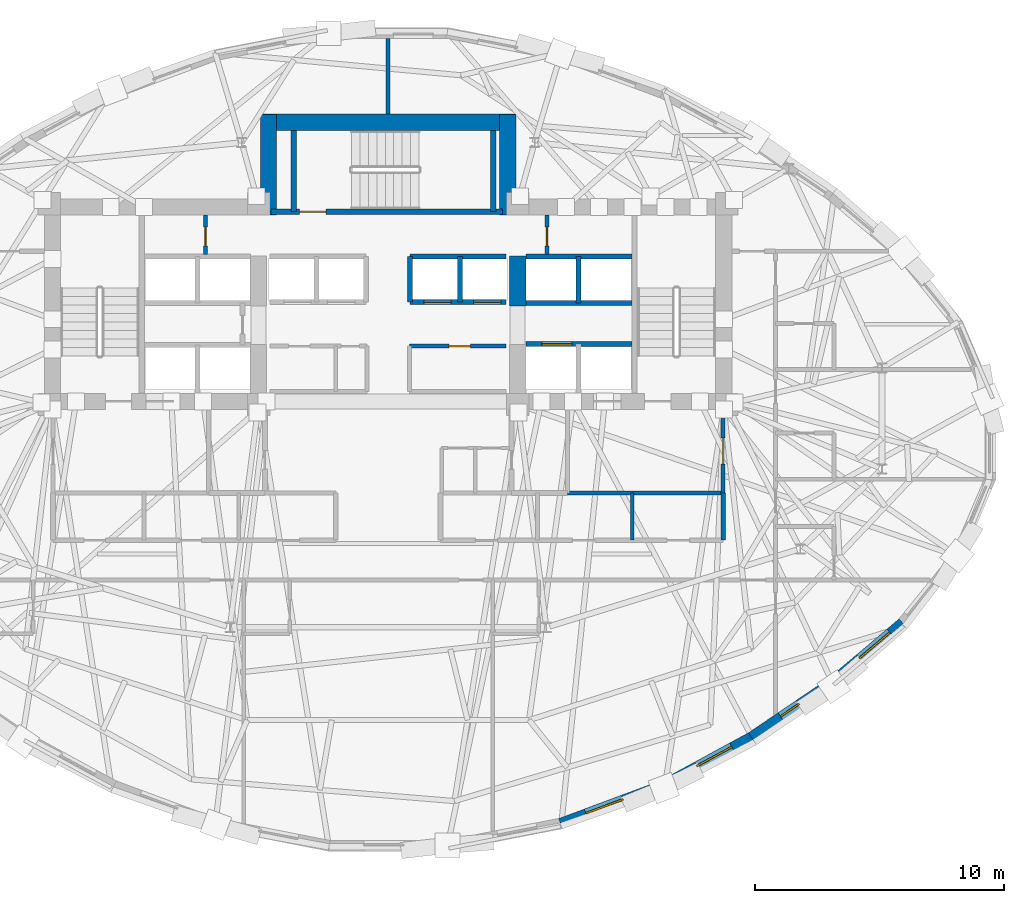
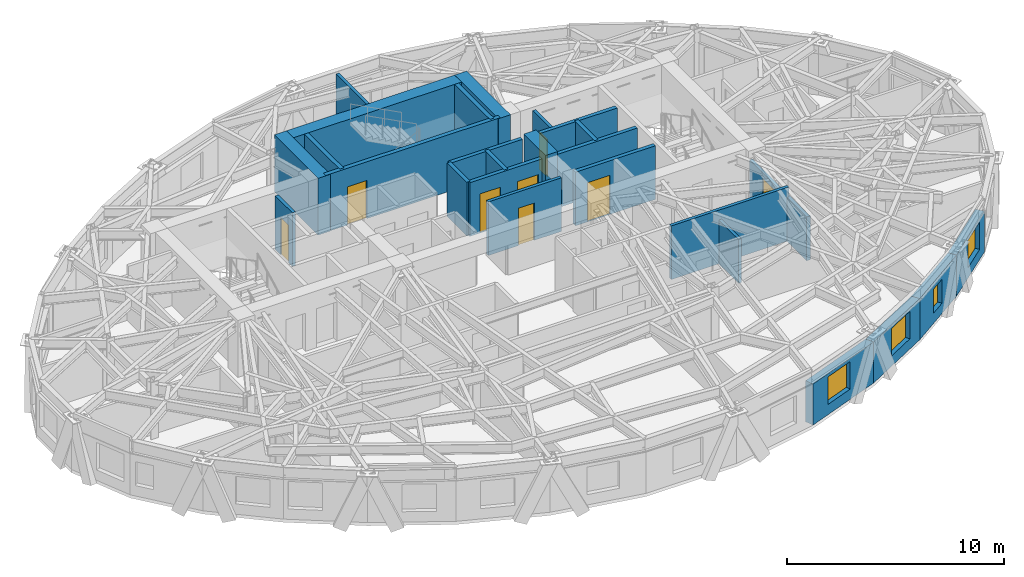
# One storey, part 8 of 14: 27 walls, 8 doors, 4 windows, 12 openings.
"""IFC4 building model written with IfcOpenShell, lengths in metres."""

from ifc_helpers import new_model, si_unit, direction, frame, frame_2d, origin, place, context, subcontext, project, spatial, rectangle, extrude, material, layer, layer_set, type_object, element, fill, save


model = new_model("IFC4")

# Units and contexts
model_context = context("Model", 3, precision=1e-05, world=origin(), true_north=direction((0.0, 1.0)))
body_context = subcontext(model_context, "Body", "Model", "MODEL_VIEW")
ifc_project = project(units=[si_unit("LENGTHUNIT", "METRE"), si_unit("AREAUNIT", "SQUARE_METRE"), si_unit("VOLUMEUNIT", "CUBIC_METRE"), si_unit("PLANEANGLEUNIT", "RADIAN"), si_unit("MASSUNIT", "GRAM", prefix="KILO")], contexts=[model_context])

# Site, building, storey
site_placement = place(None, origin())
site = spatial("IfcSite", under=ifc_project, at=site_placement, CompositionType="ELEMENT")
building_placement = place(site_placement, origin())
building = spatial("IfcBuilding", under=site, at=building_placement, Name="Keldmark Tower", CompositionType="ELEMENT")
storey_placement = place(building_placement, frame((0.0, 0.0, 191.800048828125)))
storey = spatial("IfcBuildingStorey", under=building, at=storey_placement, Name="L53", CompositionType="ELEMENT", Elevation=191.800048828125)

# Walls
ifc_material_1 = material(Name="Heavy Acoustic Plumbing Chase Gypsum Assembly", Category="gypsum")
ifc_layer_1 = layer(ifc_material_1, 0.18994140625)
ifc_layer_set_1 = layer_set([ifc_layer_1], Name="Heavy Acoustic Plumbing Chase Gypsum Assembly")
wall_type_1 = type_object("IfcWallType", Name="Heavy Wet Wall 190 mm", PredefinedType="PLUMBINGWALL", material=ifc_layer_set_1)
wall_1_placement = place(storey_placement, frame((13.449951171875, -4.050048828125, 0.0), z_axis=(0.0, 0.0, 1.0), x_axis=(0.0, 1.0, 0.0)))
element("IfcWall", 1, at=wall_1_placement, inside=storey, type_object=wall_type_1, Name="L53 Heavy Wet Wall 190 mm SPK-E-E", PredefinedType="PLUMBINGWALL", context=body_context, shape_type="SweptSolid", body=[
    extrude(rectangle(XDim=1.900146484375, YDim=0.18994140625, at=frame_2d((0.9501953125, 0.0))), origin(), (0.0, 0.0, 1.0), 2.472900390625),
])
ifc_material_2 = material(Name="Type X Fire-Rated Gypsum Partition Assembly", Category="gypsum")
ifc_layer_2 = layer(ifc_material_2, 0.1650390625)
ifc_layer_set_2 = layer_set([ifc_layer_2], Name="Type X Fire-Rated Gypsum Partition Assembly")
wall_type_2 = type_object("IfcWallType", Name="Rated Partition 165 mm", PredefinedType="PARTITIONING", material=ifc_layer_set_2)
wall_2_placement = place(storey_placement, frame((7.199951171875, -2.14990234375, 0.0), z_axis=(0.0, 0.0, 1.0), x_axis=(1.0, 0.0, 0.0)))
element("IfcWall", 2, at=wall_2_placement, inside=storey, type_object=wall_type_2, Name="L53 Rated Partition 165 mm FSAE-E-S", PredefinedType="PARTITIONING", context=body_context, shape_type="SweptSolid", body=[
    extrude(rectangle(XDim=6.25, YDim=0.1650390625, at=frame_2d((3.125, 0.0))), origin(), (0.0, 0.0, 1.0), 3.02001953125),
])

# Wall, opening, door
wall_3_placement = place(storey_placement, frame((13.449951171875, -2.14990234375, 0.0), z_axis=(0.0, 0.0, 1.0), x_axis=(0.0, 1.0, 0.0)))
wall_3 = element("IfcWall", 3, at=wall_3_placement, inside=storey, type_object=wall_type_2, Name="L53 Rated Partition 165 mm FSAE-E-E", PredefinedType="PARTITIONING", context=body_context, shape_type="SweptSolid", body=[
    extrude(rectangle(XDim=3.39990234375, YDim=0.1650390625, at=frame_2d((1.699951171875, 0.0))), origin(), (0.0, 0.0, 1.0), 2.472900390625),
])
opening_1_placement = place(wall_3_placement, frame((1.14990234375, 0.0, 0.0)))
opening_1 = element("IfcOpeningElement", 4, at=opening_1_placement, cuts=wall_3, Name="Opening D-FL105", PredefinedType="OPENING", context=body_context, shape_type="SweptSolid", body=[
    extrude(rectangle(XDim=1.050048828125, YDim=2.14990234375, at=frame_2d((0.52490234375, 1.074951171875))), frame((0.0, 0.092529296875, 0.0), z_axis=(0.0, -1.0, 0.0), x_axis=(1.0, 0.0, 0.0)), (0.0, 0.0, 1.0), 0.18505859375),
])
ifc_material_3 = material(Name="Fire-Rated Mineral-Core Door and Vision Lite", Category="metal")
door_type_1 = type_object("IfcDoorType", Name="Fire Lobby Door 1050x2150", OperationType="NOTDEFINED", PredefinedType="DOOR", material=ifc_material_3)
door_1_placement = place(opening_1_placement, origin())
door_1 = element("IfcDoor", 5, at=door_1_placement, inside=storey, type_object=door_type_1, Name="L53 Fire Lobby Door 1050x2150 D-FSAEE-OUT-L53", OperationType="SINGLE_SWING_LEFT", OverallHeight=2.14990234375, OverallWidth=1.050048828125, PredefinedType="DOOR", context=body_context, shape_type="SweptSolid", body=[
    extrude(rectangle(XDim=1.050048828125, YDim=2.14990234375, at=frame_2d((0.52490234375, 1.074951171875))), frame((0.0, 0.02490234375, 0.0), z_axis=(0.0, -1.0, 0.0), x_axis=(1.0, 0.0, 0.0)), (0.0, 0.0, 1.0), 0.050048828125),
])
fill(opening_1, door_1)

wall_4_placement = place(storey_placement, frame((0.85009765625, 3.739990234375, 0.0), z_axis=(0.0, 0.0, 1.0), x_axis=(1.0, 0.0, 0.0)))
wall_4 = element("IfcWall", 6, at=wall_4_placement, inside=storey, type_object=wall_type_2, Name="L53 Rated Partition 165 mm REC-LE-N", PredefinedType="PARTITIONING", context=body_context, shape_type="SweptSolid", body=[
    extrude(rectangle(XDim=3.889892578125, YDim=0.1650390625, at=frame_2d((1.94482421875, 0.0))), origin(), (0.0, 0.0, 1.0), 3.02001953125),
])
opening_2_placement = place(wall_4_placement, frame((1.60009765625, 0.0, 0.0)))
opening_2 = element("IfcOpeningElement", 7, at=opening_2_placement, cuts=wall_4, Name="Opening D-SV085", PredefinedType="OPENING", context=body_context, shape_type="SweptSolid", body=[
    extrude(rectangle(XDim=0.85009765625, YDim=2.10009765625, at=frame_2d((0.425048828125, 1.050048828125))), frame((0.0, 0.092529296875, 0.0), z_axis=(0.0, -1.0, 0.0), x_axis=(1.0, 0.0, 0.0)), (0.0, 0.0, 1.0), 0.18505859375),
])
ifc_material_4 = material(Name="Painted Hollow Metal Door Assembly", Category="metal")
door_type_2 = type_object("IfcDoorType", Name="Service Door 850x2100", OperationType="NOTDEFINED", PredefinedType="DOOR", material=ifc_material_4)
door_2_placement = place(opening_2_placement, origin())
door_2 = element("IfcDoor", 8, at=door_2_placement, inside=storey, type_object=door_type_2, Name="L53 Service Door 850x2100 D-RECLE1-L53", OperationType="SINGLE_SWING_LEFT", OverallHeight=2.10009765625, OverallWidth=0.85009765625, PredefinedType="DOOR", context=body_context, shape_type="SweptSolid", body=[
    extrude(rectangle(XDim=0.85009765625, YDim=2.10009765625, at=frame_2d((0.425048828125, 1.050048828125))), frame((0.0, 0.02490234375, 0.0), z_axis=(0.0, -1.0, 0.0), x_axis=(1.0, 0.0, 0.0)), (0.0, 0.0, 1.0), 0.050048828125),
])
fill(opening_2, door_2)

wall_5_placement = place(storey_placement, frame((-7.330078125, 7.419921875, 0.0), z_axis=(0.0, 0.0, 1.0), x_axis=(0.0, 1.0, 0.0)))
wall_5 = element("IfcWall", 9, at=wall_5_placement, inside=storey, type_object=wall_type_2, Name="L53 Rated Partition 165 mm CS-NW-E", PredefinedType="PARTITIONING", context=body_context, shape_type="SweptSolid", body=[
    extrude(rectangle(XDim=1.580078125, YDim=0.1650390625, at=frame_2d((0.7900390625, 0.0))), origin(), (0.0, 0.0, 1.0), 3.02001953125),
])
opening_3_placement = place(wall_5_placement, frame((0.35009765625, 0.0, 0.0)))
opening_3 = element("IfcOpeningElement", 10, at=opening_3_placement, cuts=wall_5, Name="Opening D-RS075", PredefinedType="OPENING", context=body_context, shape_type="SweptSolid", body=[
    extrude(rectangle(XDim=0.75, YDim=2.10009765625, at=frame_2d((0.375, 1.050048828125))), frame((0.0, 0.092529296875, 0.0), z_axis=(0.0, -1.0, 0.0), x_axis=(1.0, 0.0, 0.0)), (0.0, 0.0, 1.0), 0.18505859375),
])
ifc_material_5 = material(Name="Galvanized Fire-Rated Access Leaf", Category="metal")
door_type_3 = type_object("IfcDoorType", Name="Riser Access Door 750x2100", OperationType="NOTDEFINED", PredefinedType="DOOR", material=ifc_material_5)
door_3_placement = place(opening_3_placement, origin())
door_3 = element("IfcDoor", 11, at=door_3_placement, inside=storey, type_object=door_type_3, Name="L53 Riser Access Door 750x2100 D-CSNW1-L53", OperationType="SINGLE_SWING_RIGHT", OverallHeight=2.10009765625, OverallWidth=0.75, PredefinedType="DOOR", context=body_context, shape_type="SweptSolid", body=[
    extrude(rectangle(XDim=0.75, YDim=2.10009765625, at=frame_2d((0.375, 1.050048828125))), frame((0.0, 0.02490234375, 0.0), z_axis=(0.0, -1.0, 0.0), x_axis=(1.0, 0.0, 0.0)), (0.0, 0.0, 1.0), 0.050048828125),
])
fill(opening_3, door_3)

wall_6_placement = place(storey_placement, frame((6.3798828125, 7.419921875, 0.0), z_axis=(0.0, 0.0, 1.0), x_axis=(0.0, 1.0, 0.0)))
wall_6 = element("IfcWall", 12, at=wall_6_placement, inside=storey, type_object=wall_type_2, Name="L53 Rated Partition 165 mm CS-NE-W", PredefinedType="PARTITIONING", context=body_context, shape_type="SweptSolid", body=[
    extrude(rectangle(XDim=1.580078125, YDim=0.1650390625, at=frame_2d((0.7900390625, 0.0))), origin(), (0.0, 0.0, 1.0), 3.02001953125),
])
opening_4_placement = place(wall_6_placement, frame((0.35009765625, 0.0, 0.0)))
opening_4 = element("IfcOpeningElement", 13, at=opening_4_placement, cuts=wall_6, Name="Opening D-RS075", PredefinedType="OPENING", context=body_context, shape_type="SweptSolid", body=[
    extrude(rectangle(XDim=0.75, YDim=2.10009765625, at=frame_2d((0.375, 1.050048828125))), frame((0.0, 0.092529296875, 0.0), z_axis=(0.0, -1.0, 0.0), x_axis=(1.0, 0.0, 0.0)), (0.0, 0.0, 1.0), 0.18505859375),
])
door_4_placement = place(opening_4_placement, origin())
door_4 = element("IfcDoor", 14, at=door_4_placement, inside=storey, type_object=door_type_3, Name="L53 Riser Access Door 750x2100 D-CSNE1-L53", OperationType="SINGLE_SWING_LEFT", OverallHeight=2.10009765625, OverallWidth=0.75, PredefinedType="DOOR", context=body_context, shape_type="SweptSolid", body=[
    extrude(rectangle(XDim=0.75, YDim=2.10009765625, at=frame_2d((0.375, 1.050048828125))), frame((0.0, 0.02490234375, 0.0), z_axis=(0.0, -1.0, 0.0), x_axis=(1.0, 0.0, 0.0)), (0.0, 0.0, 1.0), 0.050048828125),
])
fill(opening_4, door_4)

# Wall
wall_7_placement = place(storey_placement, frame((0.0, 13.050048828125, 0.0), z_axis=(0.0, 0.0, 1.0), x_axis=(0.0, 1.0, 0.0)))
element("IfcWall", 15, at=wall_7_placement, inside=storey, type_object=wall_type_2, Name="L53 Rated Partition 165 mm HN-DIV", PredefinedType="PARTITIONING", context=body_context, shape_type="SweptSolid", body=[
    extrude(rectangle(XDim=3.03955078125, YDim=0.1650390625, at=frame_2d((1.519775390625, 0.0))), origin(), (0.0, 0.0, 1.0), 3.02001953125),
])

# Wall, opening, door
ifc_material_6 = material(Name="Fire-Resistant Type X Gypsum Shaftliner Coreboard", Category="gypsum")
ifc_layer_3 = layer(ifc_material_6, 0.199951171875)
ifc_layer_set_3 = layer_set([ifc_layer_3], Name="Fire-Resistant Type X Gypsum Shaftliner Coreboard")
wall_type_3 = type_object("IfcWallType", Name="Shaft Wall 200 mm", PredefinedType="SOLIDWALL", material=ifc_layer_set_3)
wall_8_placement = place(storey_placement, frame((5.52490234375, 3.820068359375, 0.0), z_axis=(0.0, 0.0, 1.0), x_axis=(1.0, 0.0, 0.0)))
wall_8 = element("IfcWall", 16, at=wall_8_placement, inside=storey, type_object=wall_type_3, Name="L53 Shaft Wall 200 mm HW-E-S", PredefinedType="SOLIDWALL", context=body_context, shape_type="SweptSolid", body=[
    extrude(rectangle(XDim=4.255126953125, YDim=0.199951171875, at=frame_2d((2.12744140625, 0.0))), origin(), (0.0, 0.0, 1.0), 3.02001953125),
])
opening_5_placement = place(wall_8_placement, frame((0.64990234375, 0.0, 0.0)))
opening_5 = element("IfcOpeningElement", 17, at=opening_5_placement, cuts=wall_8, Name="Opening LD-120", PredefinedType="OPENING", context=body_context, shape_type="SweptSolid", body=[
    extrude(rectangle(XDim=1.199951171875, YDim=2.199951171875, at=frame_2d((0.60009765625, 1.10009765625))), frame((0.0, 0.10986328125, 0.0), z_axis=(0.0, -1.0, 0.0), x_axis=(1.0, 0.0, 0.0)), (0.0, 0.0, 1.0), 0.219970703125),
])
ifc_material_7 = material(Name="Heavy-Duty Brushed Metal Hoistway Sliding Leaf", Category="metal")
door_type_4 = type_object("IfcDoorType", Name="Service Lift Sliding Door 1200x2200", OperationType="SLIDING_TO_RIGHT", PredefinedType="DOOR", material=ifc_material_7)
door_5_placement = place(opening_5_placement, origin())
door_5 = element("IfcDoor", 18, at=door_5_placement, inside=storey, type_object=door_type_4, Name="L53 Service Lift Sliding Door 1200x2200 LD-EL-SV1-L53", OperationType="SLIDING_TO_RIGHT", OverallHeight=2.199951171875, OverallWidth=1.199951171875, PredefinedType="DOOR", context=body_context, shape_type="SweptSolid", body=[
    extrude(rectangle(XDim=1.199951171875, YDim=2.199951171875, at=frame_2d((0.60009765625, 1.10009765625))), frame((0.0, 0.02490234375, 0.0), z_axis=(0.0, -1.0, 0.0), x_axis=(1.0, 0.0, 0.0)), (0.0, 0.0, 1.0), 0.050048828125),
])
fill(opening_5, door_5)

# Walls
for number, where, z_axis, x_axis, name in (
    (19, (5.52490234375, 5.469970703125, 0.0), (0.0, 0.0, 1.0), (1.0, 0.0, 0.0), "L53 Shaft Wall 200 mm HW-E-N"),
    (20, (5.52490234375, 7.330078125, 0.0), (0.0, 0.0, 1.0), (1.0, 0.0, 0.0), "L53 Shaft Wall 200 mm HW-E-TOP"),
):
    element("IfcWall", number, at=place(storey_placement, frame(where, z_axis=z_axis, x_axis=x_axis)), inside=storey, type_object=wall_type_3, Name=name, PredefinedType="SOLIDWALL", context=body_context, shape_type="SweptSolid", body=[
        extrude(rectangle(XDim=4.255126953125, YDim=0.199951171875, at=frame_2d((2.12744140625, 0.0))), origin(), (0.0, 0.0, 1.0), 3.02001953125),
    ])
wall_9_placement = place(storey_placement, frame((7.64990234375, 5.469970703125, 0.0), z_axis=(0.0, 0.0, 1.0), x_axis=(0.0, 1.0, 0.0)))
element("IfcWall", 21, at=wall_9_placement, inside=storey, type_object=wall_type_3, Name="L53 Shaft Wall 200 mm HW-E-NM", PredefinedType="SOLIDWALL", context=body_context, shape_type="SweptSolid", body=[
    extrude(rectangle(XDim=1.860107421875, YDim=0.199951171875, at=frame_2d((0.93017578125, 0.0))), origin(), (0.0, 0.0, 1.0), 3.02001953125),
])

# Wall, openings, doors
wall_10_placement = place(storey_placement, frame((0.8798828125, 5.52001953125, 0.0), z_axis=(0.0, 0.0, 1.0), x_axis=(1.0, 0.0, 0.0)))
wall_10 = element("IfcWall", 22, at=wall_10_placement, inside=storey, type_object=wall_type_3, Name="L53 Shaft Wall 200 mm MID-S-E", PredefinedType="SOLIDWALL", context=body_context, shape_type="SweptSolid", body=[
    extrude(rectangle(XDim=3.860107421875, YDim=0.199951171875, at=frame_2d((1.93017578125, 0.0))), origin(), (0.0, 0.0, 1.0), 3.02001953125),
])
opening_6_placement = place(wall_10_placement, frame((0.550048828125, 0.0, 0.0)))
opening_6 = element("IfcOpeningElement", 23, at=opening_6_placement, cuts=wall_10, Name="Opening LD-110", PredefinedType="OPENING", context=body_context, shape_type="SweptSolid", body=[
    extrude(rectangle(XDim=1.10009765625, YDim=2.199951171875, at=frame_2d((0.550048828125, 1.10009765625))), frame((0.0, 0.10986328125, 0.0), z_axis=(0.0, -1.0, 0.0), x_axis=(1.0, 0.0, 0.0)), (0.0, 0.0, 1.0), 0.219970703125),
])
opening_7_placement = place(wall_10_placement, frame((2.550048828125, 0.0, 0.0)))
opening_7 = element("IfcOpeningElement", 24, at=opening_7_placement, cuts=wall_10, Name="Opening LD-110", PredefinedType="OPENING", context=body_context, shape_type="SweptSolid", body=[
    extrude(rectangle(XDim=1.10009765625, YDim=2.199951171875, at=frame_2d((0.550048828125, 1.10009765625))), frame((0.0, 0.10986328125, 0.0), z_axis=(0.0, -1.0, 0.0), x_axis=(1.0, 0.0, 0.0)), (0.0, 0.0, 1.0), 0.219970703125),
])
ifc_material_8 = material(Name="Brushed Bronze Hoistway Sliding Leaf", Category="metal")
door_type_5 = type_object("IfcDoorType", Name="Lift Landing Sliding Door 1100x2200", OperationType="SLIDING_TO_LEFT", PredefinedType="DOOR", material=ifc_material_8)
door_6_placement = place(opening_6_placement, origin())
door_6 = element("IfcDoor", 25, at=door_6_placement, inside=storey, type_object=door_type_5, Name="L53 Lift Landing Sliding Door 1100x2200 LD-EL-M3-L53", OperationType="SLIDING_TO_LEFT", OverallHeight=2.199951171875, OverallWidth=1.10009765625, PredefinedType="DOOR", context=body_context, shape_type="SweptSolid", body=[
    extrude(rectangle(XDim=1.10009765625, YDim=2.199951171875, at=frame_2d((0.550048828125, 1.10009765625))), frame((0.0, 0.02490234375, 0.0), z_axis=(0.0, -1.0, 0.0), x_axis=(1.0, 0.0, 0.0)), (0.0, 0.0, 1.0), 0.050048828125),
])
fill(opening_6, door_6)
door_7_placement = place(opening_7_placement, origin())
door_7 = element("IfcDoor", 26, at=door_7_placement, inside=storey, type_object=door_type_5, Name="L53 Lift Landing Sliding Door 1100x2200 LD-EL-M4-L53", OperationType="SLIDING_TO_LEFT", OverallHeight=2.199951171875, OverallWidth=1.10009765625, PredefinedType="DOOR", context=body_context, shape_type="SweptSolid", body=[
    extrude(rectangle(XDim=1.10009765625, YDim=2.199951171875, at=frame_2d((0.550048828125, 1.10009765625))), frame((0.0, 0.02490234375, 0.0), z_axis=(0.0, -1.0, 0.0), x_axis=(1.0, 0.0, 0.0)), (0.0, 0.0, 1.0), 0.050048828125),
])
fill(opening_7, door_7)

# Walls
wall_11_placement = place(storey_placement, frame((0.8798828125, 7.330078125, 0.0), z_axis=(0.0, 0.0, 1.0), x_axis=(1.0, 0.0, 0.0)))
element("IfcWall", 27, at=wall_11_placement, inside=storey, type_object=wall_type_3, Name="L53 Shaft Wall 200 mm MID-N-E", PredefinedType="SOLIDWALL", context=body_context, shape_type="SweptSolid", body=[
    extrude(rectangle(XDim=3.860107421875, YDim=0.199951171875, at=frame_2d((1.93017578125, 0.0))), origin(), (0.0, 0.0, 1.0), 3.02001953125),
])
for number, where, z_axis, x_axis, name in (
    (28, (2.8798828125, 5.52001953125, 0.0), (0.0, 0.0, 1.0), (0.0, 1.0, 0.0), "L53 Shaft Wall 200 mm MID-M-E"),
    (29, (0.8798828125, 5.52001953125, 0.0), (0.0, 0.0, 1.0), (0.0, 1.0, 0.0), "L53 Shaft Wall 200 mm MID-C-E"),
):
    element("IfcWall", number, at=place(storey_placement, frame(where, z_axis=z_axis, x_axis=x_axis)), inside=storey, type_object=wall_type_3, Name=name, PredefinedType="SOLIDWALL", context=body_context, shape_type="SweptSolid", body=[
        extrude(rectangle(XDim=1.81005859375, YDim=0.199951171875, at=frame_2d((0.905029296875, 0.0))), origin(), (0.0, 0.0, 1.0), 3.02001953125),
    ])

# Wall, opening, door
ifc_material_9 = material(Name="Concrete C50/60", Category="concrete")
ifc_layer_4 = layer(ifc_material_9, 0.219970703125)
ifc_layer_set_4 = layer_set([ifc_layer_4], Name="Concrete C50/60")
wall_type_4 = type_object("IfcWallType", Name="Stair Core Shear Wall 220 mm", PredefinedType="SHEAR", material=ifc_layer_set_4)
wall_12_placement = place(storey_placement, frame((-4.699951171875, 9.139892578125, 0.0), z_axis=(0.0, 0.0, 1.0), x_axis=(1.0, 0.0, 0.0)))
wall_12 = element("IfcWall", 30, at=wall_12_placement, inside=storey, type_object=wall_type_4, Name="L53 Central Stair Core South Shear Wall", PredefinedType="SHEAR", context=body_context, shape_type="SweptSolid", body=[
    extrude(rectangle(XDim=9.300048828125, YDim=0.219970703125, at=frame_2d((4.64990234375, 0.0))), origin(), (0.0, 0.0, 1.0), 3.199951171875),
])
opening_8_placement = place(wall_12_placement, frame((1.14990234375, 0.0, 0.0)))
opening_8 = element("IfcOpeningElement", 31, at=opening_8_placement, cuts=wall_12, Name="Opening D-ST105", PredefinedType="OPENING", context=body_context, shape_type="SweptSolid", body=[
    extrude(rectangle(XDim=1.050048828125, YDim=2.14990234375, at=frame_2d((0.52490234375, 1.074951171875))), frame((0.0, 0.119873046875, 0.0), z_axis=(0.0, -1.0, 0.0), x_axis=(1.0, 0.0, 0.0)), (0.0, 0.0, 1.0), 0.239990234375),
])
ifc_material_10 = material(Name="Hollow Metal Fire-Rated Door Assembly", Category="metal")
door_type_6 = type_object("IfcDoorType", Name="Stair Fire Door 1050x2150", OperationType="NOTDEFINED", PredefinedType="DOOR", material=ifc_material_10)
door_8_placement = place(opening_8_placement, origin())
door_8 = element("IfcDoor", 32, at=door_8_placement, inside=storey, type_object=door_type_6, Name="L53 Stair Fire Door 1050x2150 D-ST3-L53", OperationType="SINGLE_SWING_RIGHT", OverallHeight=2.14990234375, OverallWidth=1.050048828125, PredefinedType="DOOR", context=body_context, shape_type="SweptSolid", body=[
    extrude(rectangle(XDim=1.050048828125, YDim=2.14990234375, at=frame_2d((0.52490234375, 1.074951171875))), frame((0.0, 0.02490234375, 0.0), z_axis=(0.0, -1.0, 0.0), x_axis=(1.0, 0.0, 0.0)), (0.0, 0.0, 1.0), 0.050048828125),
])
fill(opening_8, door_8)

# Walls
for number, where, z_axis, x_axis, name in (
    (33, (-3.784912109375, 9.139892578125, 0.0), (0.0, 0.0, 1.0), (0.0, 1.0, 0.0), "L53 Central Stair Core West Shear Wall"),
    (34, (4.215087890625, 9.139892578125, 0.0), (0.0, 0.0, 1.0), (0.0, 1.0, 0.0), "L53 Central Stair Core East Shear Wall"),
):
    element("IfcWall", number, at=place(storey_placement, frame(where, z_axis=z_axis, x_axis=x_axis)), inside=storey, type_object=wall_type_4, Name=name, PredefinedType="SHEAR", context=body_context, shape_type="SweptSolid", body=[
        extrude(rectangle(XDim=3.260009765625, YDim=0.219970703125, at=frame_2d((1.6298828125, 0.0))), origin(), (0.0, 0.0, 1.0), 3.199951171875),
    ])

# Wall, opening, window
ifc_material_11 = material(Name="Ironspot Manganese Brick and Kasota Buff Limestone Spandrel Assembly", Category="masonry")
ifc_layer_5 = layer(ifc_material_11, 0.43994140625)
ifc_layer_set_5 = layer_set([ifc_layer_5], Name="Ironspot Manganese Brick and Kasota Buff Limestone Spandrel Assembly")
wall_type_5 = type_object("IfcWallType", Name="Tower Brick Pier and Spandrel Wall 440 mm", PredefinedType="STANDARD", material=ifc_layer_set_5)
wall_13_placement = place(storey_placement, frame((11.04248046875, -13.897216796875, 0.0), z_axis=(0.0, 0.0, 1.0), x_axis=(-0.937088879832, -0.349090863953, 0.0)))
wall_13 = element("IfcWall", 35, at=wall_13_placement, inside=storey, type_object=wall_type_5, Name="L53 Exterior Brick and Spandrel Wall 26", PredefinedType="STANDARD", context=body_context, shape_type="SweptSolid", body=[
    extrude(rectangle(XDim=4.398193359375, YDim=0.43994140625, at=frame_2d((2.19921875, 0.0))), origin(), (0.0, 0.0, 1.0), 2.31494140625),
])
opening_9_placement = place(wall_13_placement, frame((1.69921875, 0.0, 0.580078125)))
opening_9 = element("IfcOpeningElement", 36, at=opening_9_placement, cuts=wall_13, Name="Opening W-04", PredefinedType="OPENING", context=body_context, shape_type="SweptSolid", body=[
    extrude(rectangle(XDim=1.60009765625, YDim=1.550048828125, at=frame_2d((0.800048828125, 0.77490234375))), frame((0.0, 0.22998046875, 0.0), z_axis=(0.0, -1.0, 0.0), x_axis=(1.0, 0.0, 0.0)), (0.0, 0.0, 1.0), 0.4599609375),
])
ifc_material_12 = material(Name="Thermally Broken Anodized Aluminum and Triple Low-E Argon Glazing", Category="aluminium")
window_type_1 = type_object("IfcWindowType", Name="Hotel Deep-Set Operable Window 1600x1550", PartitioningType="DOUBLE_PANEL_HORIZONTAL", PredefinedType="WINDOW", material=ifc_material_12)
window_1_placement = place(opening_9_placement, origin())
window_1 = element("IfcWindow", 37, at=window_1_placement, inside=storey, type_object=window_type_1, Name="L53 Deep-Set Window 26", OverallHeight=1.550048828125, OverallWidth=1.60009765625, PartitioningType="SINGLE_PANEL", PredefinedType="WINDOW", context=body_context, shape_type="SweptSolid", body=[
    extrude(rectangle(XDim=1.60009765625, YDim=1.550048828125, at=frame_2d((0.800048828125, 0.77490234375))), frame((0.0, -0.010009765625, 0.0), z_axis=(0.0, -1.0, 0.0), x_axis=(1.0, 0.0, 0.0)), (0.0, 0.0, 1.0), 0.06005859375),
])
fill(opening_9, window_1)

wall_14_placement = place(storey_placement, frame((14.601806640625, -11.955810546875, 0.0), z_axis=(0.0, 0.0, 1.0), x_axis=(-0.878158075839, -0.478370561217, 0.0)))
wall_14 = element("IfcWall", 38, at=wall_14_placement, inside=storey, type_object=wall_type_5, Name="L53 Exterior Brick and Spandrel Wall 27", PredefinedType="STANDARD", context=body_context, shape_type="SweptSolid", body=[
    extrude(rectangle(XDim=4.08544921875, YDim=0.43994140625, at=frame_2d((2.042724609375, 0.0))), origin(), (0.0, 0.0, 1.0), 2.31494140625),
])
opening_10_placement = place(wall_14_placement, frame((0.89501953125, 0.0, 0.580078125)))
opening_10 = element("IfcOpeningElement", 39, at=opening_10_placement, cuts=wall_14, Name="Opening W-04", PredefinedType="OPENING", context=body_context, shape_type="SweptSolid", body=[
    extrude(rectangle(XDim=1.60009765625, YDim=1.550048828125, at=frame_2d((0.800048828125, 0.77490234375))), frame((0.0, 0.22998046875, 0.0), z_axis=(0.0, -1.0, 0.0), x_axis=(1.0, 0.0, 0.0)), (0.0, 0.0, 1.0), 0.4599609375),
])
window_2_placement = place(opening_10_placement, origin())
window_2 = element("IfcWindow", 40, at=window_2_placement, inside=storey, type_object=window_type_1, Name="L53 Deep-Set Window 27", OverallHeight=1.550048828125, OverallWidth=1.60009765625, PartitioningType="SINGLE_PANEL", PredefinedType="WINDOW", context=body_context, shape_type="SweptSolid", body=[
    extrude(rectangle(XDim=1.60009765625, YDim=1.550048828125, at=frame_2d((0.800048828125, 0.77490234375))), frame((0.0, -0.010009765625, 0.0), z_axis=(0.0, -1.0, 0.0), x_axis=(1.0, 0.0, 0.0)), (0.0, 0.0, 1.0), 0.06005859375),
])
fill(opening_10, window_2)

wall_15_placement = place(storey_placement, frame((17.796875, -9.788330078125, 0.0), z_axis=(0.0, 0.0, 1.0), x_axis=(-0.827690675663, -0.561184591218, 0.0)))
wall_15 = element("IfcWall", 41, at=wall_15_placement, inside=storey, type_object=wall_type_5, Name="L53 Exterior Brick and Spandrel Wall 28", PredefinedType="STANDARD", context=body_context, shape_type="SweptSolid", body=[
    extrude(rectangle(XDim=3.88232421875, YDim=0.43994140625, at=frame_2d((1.941162109375, 0.0))), origin(), (0.0, 0.0, 1.0), 2.31494140625),
])
opening_11_placement = place(wall_15_placement, frame((1.541015625, 0.0, 0.580078125)))
opening_11 = element("IfcOpeningElement", 42, at=opening_11_placement, cuts=wall_15, Name="Opening W-09", PredefinedType="OPENING", context=body_context, shape_type="SweptSolid", body=[
    extrude(rectangle(XDim=0.89990234375, YDim=1.35009765625, at=frame_2d((0.449951171875, 0.675048828125))), frame((0.0, 0.22998046875, 0.0), z_axis=(0.0, -1.0, 0.0), x_axis=(1.0, 0.0, 0.0)), (0.0, 0.0, 1.0), 0.4599609375),
])
ifc_material_13 = material(Name="Thermally Broken Anodized Aluminum and Triple Low-E Argon Glazing", Category="aluminium")
window_type_2 = type_object("IfcWindowType", Name="Corner Pier Deep-Set Window 900x1350", PartitioningType="SINGLE_PANEL", PredefinedType="WINDOW", material=ifc_material_13)
window_3_placement = place(opening_11_placement, origin())
window_3 = element("IfcWindow", 43, at=window_3_placement, inside=storey, type_object=window_type_2, Name="L53 Deep-Set Window 28", OverallHeight=1.35009765625, OverallWidth=0.89990234375, PartitioningType="SINGLE_PANEL", PredefinedType="WINDOW", context=body_context, shape_type="SweptSolid", body=[
    extrude(rectangle(XDim=0.89990234375, YDim=1.35009765625, at=frame_2d((0.449951171875, 0.675048828125))), frame((0.0, -0.010009765625, 0.0), z_axis=(0.0, -1.0, 0.0), x_axis=(1.0, 0.0, 0.0)), (0.0, 0.0, 1.0), 0.06005859375),
])
fill(opening_11, window_3)

wall_16_placement = place(storey_placement, frame((20.660888671875, -7.370361328125, 0.0), z_axis=(0.0, 0.0, 1.0), x_axis=(-0.764269547527, -0.644896936512, 0.0)))
wall_16 = element("IfcWall", 44, at=wall_16_placement, inside=storey, type_object=wall_type_5, Name="L53 Exterior Brick and Spandrel Wall 29", PredefinedType="STANDARD", context=body_context, shape_type="SweptSolid", body=[
    extrude(rectangle(XDim=3.771240234375, YDim=0.43994140625, at=frame_2d((1.8857421875, 0.0))), origin(), (0.0, 0.0, 1.0), 2.31494140625),
])
opening_12_placement = place(wall_16_placement, frame((0.642822265625, 0.0, 0.580078125)))
opening_12 = element("IfcOpeningElement", 45, at=opening_12_placement, cuts=wall_16, Name="Opening W-04", PredefinedType="OPENING", context=body_context, shape_type="SweptSolid", body=[
    extrude(rectangle(XDim=1.60009765625, YDim=1.550048828125, at=frame_2d((0.800048828125, 0.77490234375))), frame((0.0, 0.22998046875, 0.0), z_axis=(0.0, -1.0, 0.0), x_axis=(1.0, 0.0, 0.0)), (0.0, 0.0, 1.0), 0.4599609375),
])
window_4_placement = place(opening_12_placement, origin())
window_4 = element("IfcWindow", 46, at=window_4_placement, inside=storey, type_object=window_type_1, Name="L53 Deep-Set Window 29", OverallHeight=1.550048828125, OverallWidth=1.60009765625, PartitioningType="SINGLE_PANEL", PredefinedType="WINDOW", context=body_context, shape_type="SweptSolid", body=[
    extrude(rectangle(XDim=1.60009765625, YDim=1.550048828125, at=frame_2d((0.800048828125, 0.77490234375))), frame((0.0, -0.010009765625, 0.0), z_axis=(0.0, -1.0, 0.0), x_axis=(1.0, 0.0, 0.0)), (0.0, 0.0, 1.0), 0.06005859375),
])
fill(opening_12, window_4)

# Walls
ifc_material_14 = material(Name="Concrete C50/60", Category="concrete")
ifc_layer_6 = layer(ifc_material_14, 0.64990234375)
ifc_layer_set_6 = layer_set([ifc_layer_6], Name="Concrete C50/60")
wall_type_6 = type_object("IfcWallType", Name="Upper-Mid Core Shear Wall 650 mm", PredefinedType="SHEAR", material=ifc_layer_set_6)
wall_17_placement = place(storey_placement, frame((5.199951171875, 5.35009765625, 0.0), z_axis=(0.0, 0.0, 1.0), x_axis=(0.0, 1.0, 0.0)))
element("IfcWall", 47, at=wall_17_placement, inside=storey, type_object=wall_type_6, Name="L53 East Core Inner Shear Pier North", PredefinedType="SHEAR", context=body_context, shape_type="SweptSolid", body=[
    extrude(rectangle(XDim=2.0, YDim=0.64990234375, at=frame_2d((1.0, 0.0))), origin(), (0.0, 0.0, 1.0), 3.199951171875),
])
wall_18_placement = place(storey_placement, frame((-5.125, 12.72509765625, 0.0), z_axis=(0.0, 0.0, 1.0), x_axis=(1.0, 0.0, 0.0)))
element("IfcWall", 48, at=wall_18_placement, inside=storey, type_object=wall_type_6, Name="L53 North Core Shear Wall", PredefinedType="SHEAR", context=body_context, shape_type="SweptSolid", body=[
    extrude(rectangle(XDim=10.25, YDim=0.64990234375, at=frame_2d((5.125, 0.0))), origin(), (0.0, 0.0, 1.0), 3.199951171875),
])
for number, where, z_axis, x_axis, name in (
    (49, (-4.800048828125, 9.0, 0.0), (0.0, 0.0, 1.0), (0.0, 1.0, 0.0), "L53 North Core West Shear Wall"),
    (50, (4.800048828125, 9.0, 0.0), (0.0, 0.0, 1.0), (0.0, 1.0, 0.0), "L53 North Core East Shear Wall"),
):
    element("IfcWall", number, at=place(storey_placement, frame(where, z_axis=z_axis, x_axis=x_axis)), inside=storey, type_object=wall_type_6, Name=name, PredefinedType="SHEAR", context=body_context, shape_type="SweptSolid", body=[
        extrude(rectangle(XDim=4.050048828125, YDim=0.64990234375, at=frame_2d((2.02490234375, 0.0))), origin(), (0.0, 0.0, 1.0), 3.199951171875),
    ])
ifc_material_15 = material(Name="Moisture-Resistant Gypsum Plumbing Partition", Category="gypsum")
ifc_layer_7 = layer(ifc_material_15, 0.14990234375)
ifc_layer_set_7 = layer_set([ifc_layer_7], Name="Moisture-Resistant Gypsum Plumbing Partition")
wall_type_7 = type_object("IfcWallType", Name="Wet Wall 150 mm", PredefinedType="PLUMBINGWALL", material=ifc_layer_set_7)
wall_19_placement = place(storey_placement, frame((9.800048828125, -4.050048828125, 0.0), z_axis=(0.0, 0.0, 1.0), x_axis=(0.0, 1.0, 0.0)))
element("IfcWall", 51, at=wall_19_placement, inside=storey, type_object=wall_type_7, Name="L53 Wet Wall 150 mm SPK-E-D2", PredefinedType="PLUMBINGWALL", context=body_context, shape_type="SweptSolid", body=[
    extrude(rectangle(XDim=1.900146484375, YDim=0.14990234375, at=frame_2d((0.9501953125, 0.0))), origin(), (0.0, 0.0, 1.0), 2.472900390625),
])

save(model, "model.ifc")
